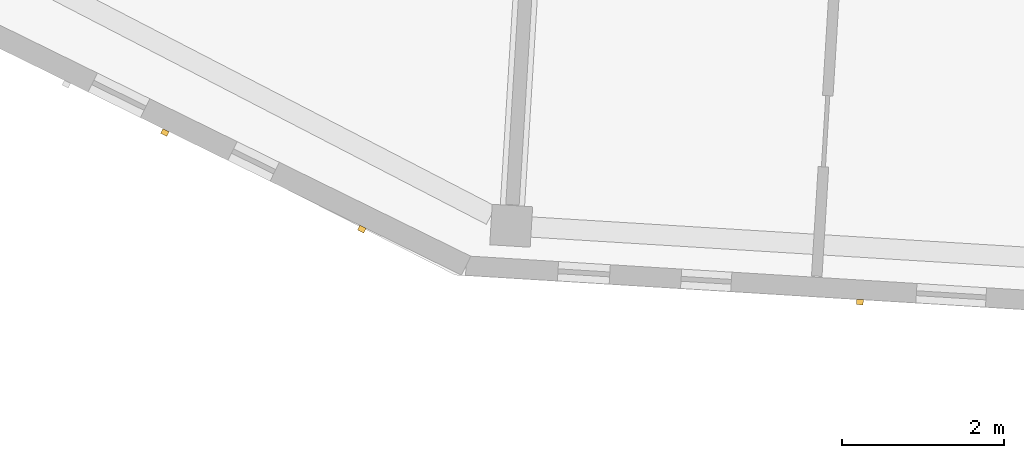
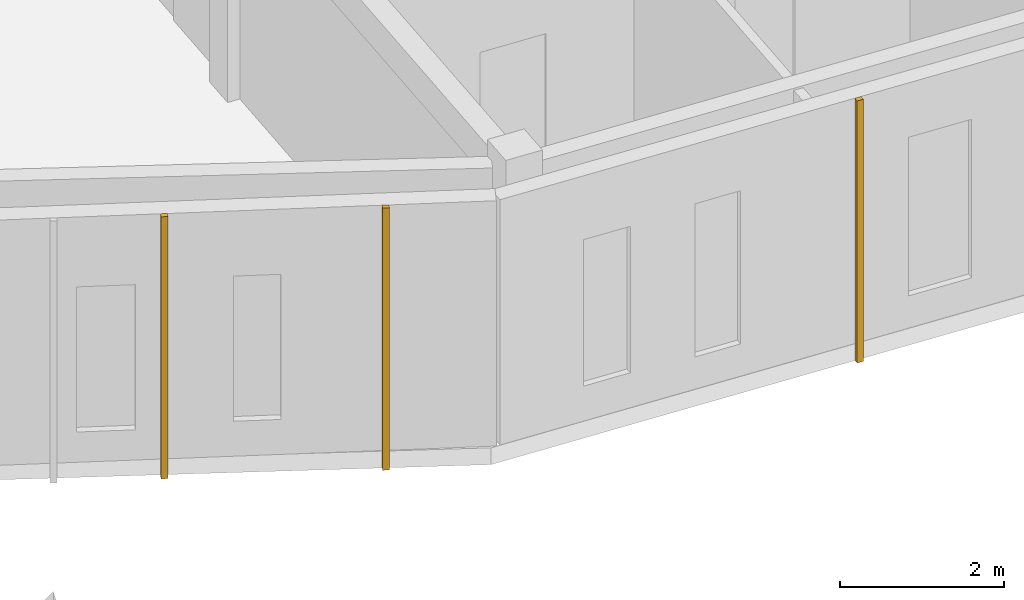
# One storey, part 111 of 150: 3 coverings.
"""IFC4 building model written with IfcOpenShell, lengths in metres."""

from ifc_helpers import new_model, si_unit, direction, frame, origin, origin_2d, place, context, subcontext, project, spatial, rectangle, extrude, material, layer, layer_set, type_object, element, save


model = new_model("IFC4")

# Units and contexts
model_context = context("Model", 3, precision=1e-05, world=origin(), true_north=direction((0.0, 1.0)))
body_context = subcontext(model_context, "Body", "Model", "MODEL_VIEW")
ifc_project = project(units=[si_unit("LENGTHUNIT", "METRE"), si_unit("AREAUNIT", "SQUARE_METRE"), si_unit("VOLUMEUNIT", "CUBIC_METRE"), si_unit("PLANEANGLEUNIT", "RADIAN"), si_unit("MASSUNIT", "GRAM", prefix="KILO")], contexts=[model_context])

# Site, building, storey
site_placement = place(None, origin())
site = spatial("IfcSite", under=ifc_project, at=site_placement, CompositionType="ELEMENT")
building_placement = place(site_placement, origin())
building = spatial("IfcBuilding", under=site, at=building_placement, Name="Kestramere Prow Commons", CompositionType="ELEMENT")
storey_placement = place(building_placement, frame((0.0, 0.0, 4.5)))
storey = spatial("IfcBuildingStorey", under=building, at=storey_placement, Name="L01", CompositionType="ELEMENT", Elevation=4.5)

# Coverings
ifc_material = material(Name="Weathered Zinc-Titanium Standing-Seam Cladding")
ifc_layer = layer(ifc_material, 0.074951171875)
ifc_layer_set = layer_set([ifc_layer], Name="Weathered Zinc-Titanium Standing-Seam Cladding")
covering_type = type_object("IfcCoveringType", Name="COV-CLAD-SEAM", PredefinedType="CLADDING", material=ifc_layer_set)
for number, where, z_axis, x_axis, name in (
    (1, (63.800537109375, 45.55810546875, -0.25), (0.0, 0.0, 1.0), (-0.998134798422, 0.061048539535, 0.0), "EW-C-L01-S-0 Standing-Seam Rib 2"),
    (2, (57.6572265625, 46.458251953125, -0.25), (0.0, 0.0, 1.0), (-0.897770965065, 0.440462591245, 0.0), "EW-C-L01-PRW-S Standing-Seam Rib 1"),
    (3, (55.227294921875, 47.650390625, -0.25), (0.0, 0.0, 1.0), (-0.897770965065, 0.440462591245, 0.0), "EW-C-L01-PRW-S Standing-Seam Rib 3"),
):
    element("IfcCovering", number, at=place(storey_placement, frame(where, z_axis=z_axis, x_axis=x_axis)), inside=storey, type_object=covering_type, Name=name, PredefinedType="CLADDING", context=body_context, shape_type="SweptSolid", body=[
        extrude(rectangle(XDim=0.0849609375, YDim=0.06494140625, at=origin_2d()), origin(), (0.0, 0.0, 1.0), 3.89990234375),
    ])

save(model, "model.ifc")
